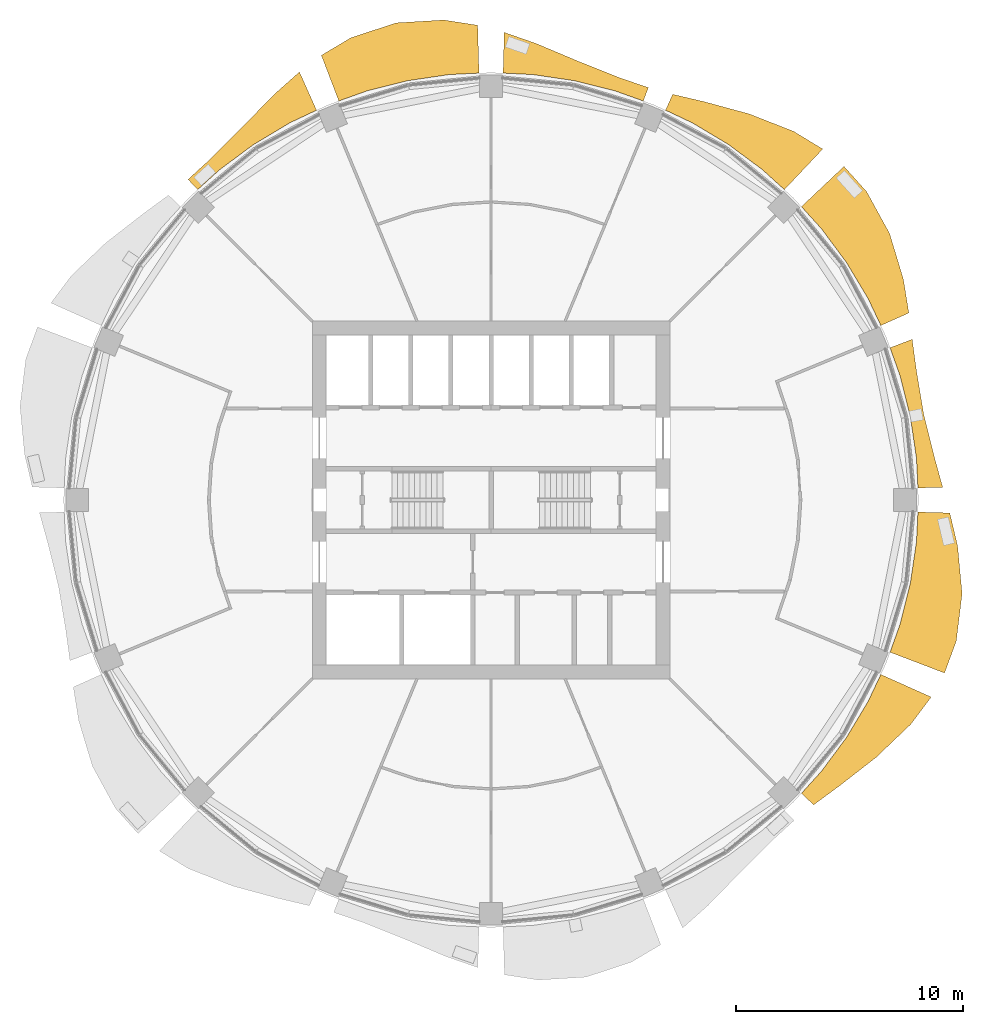
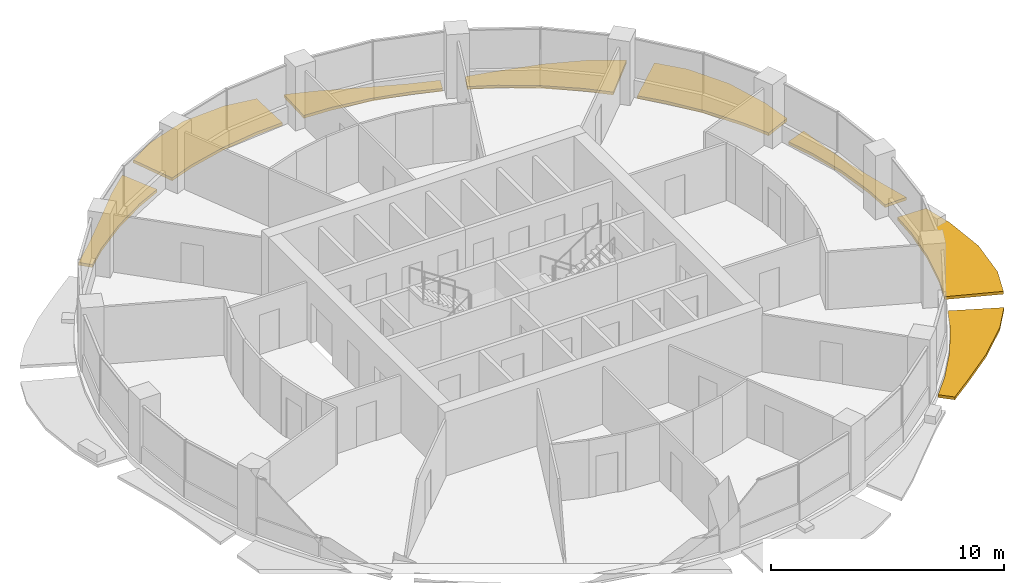
# One storey, part 14 of 15: 8 shading devices.
"""IFC4 building model written with IfcOpenShell, lengths in metres."""

from ifc_helpers import new_model, si_unit, direction, frame, origin, place, context, subcontext, project, spatial, polyline, outline, extrude, material, type_object, element, save


model = new_model("IFC4")

# Units and contexts
model_context = context("Model", 3, precision=1e-05, world=origin(), true_north=direction((0.0, 1.0)))
body_context = subcontext(model_context, "Body", "Model", "MODEL_VIEW")
ifc_project = project(units=[si_unit("LENGTHUNIT", "METRE"), si_unit("AREAUNIT", "SQUARE_METRE"), si_unit("VOLUMEUNIT", "CUBIC_METRE"), si_unit("PLANEANGLEUNIT", "RADIAN"), si_unit("MASSUNIT", "GRAM", prefix="KILO")], contexts=[model_context])

# Site, building, storey
site_placement = place(None, origin())
site = spatial("IfcSite", under=ifc_project, at=site_placement, CompositionType="ELEMENT")
building_placement = place(site_placement, origin())
building = spatial("IfcBuilding", under=site, at=building_placement, Name="Polderwave Tower", CompositionType="ELEMENT")
storey_placement = place(building_placement, frame((0.0, 0.0, 157.800048828125)))
storey = spatial("IfcBuildingStorey", under=building, at=storey_placement, Name="L42", CompositionType="ELEMENT", Elevation=157.800048828125)

# Shading devices
ifc_material = material(Name="Terracotta", Category="masonry")
shading_device_type = type_object("IfcShadingDeviceType", Name="Terracotta sunshade band", PredefinedType="USERDEFINED", material=ifc_material)
shading_device_1_placement = place(storey_placement, frame((0.0, 0.0, -0.35009765625)))
element("IfcShadingDevice", 1, at=shading_device_1_placement, inside=storey, type_object=shading_device_type, Name="Sunshade band L42 1", ObjectType="SUNSHADE", PredefinedType="USERDEFINED", context=body_context, shape_type="SweptSolid", body=[
    extrude(outline(polyline([(18.803955078125, 0.5302734375), (18.7392578125, 1.845703125), (18.46826171875, 3.673583984375), (18.019287109375, 5.466064453125), (17.575439453125, 6.7060546875), (18.551513671875, 7.078369140625), (18.740478515625, 5.684814453125), (19.056884765625, 3.790771484375), (19.519287109375, 1.922607421875), (19.893798828125, 0.56103515625), (18.803955078125, 0.5302734375)])), origin(), (0.0, 0.0, 1.0), 0.150146484375),
])
shading_device_2_placement = place(storey_placement, frame((0.0, 0.0, -0.35009765625)))
element("IfcShadingDevice", 2, at=shading_device_2_placement, inside=storey, type_object=shading_device_type, Name="Sunshade band L42 2", ObjectType="SUNSHADE", PredefinedType="USERDEFINED", context=body_context, shape_type="SweptSolid", body=[
    extrude(outline(polyline([(17.169677734375, 7.685791015625), (16.606689453125, 8.87646484375), (15.656494140625, 10.46142578125), (14.555908203125, 11.945556640625), (13.67138671875, 12.92138671875), (15.546875, 14.694091796875), (16.54638671875, 13.579345703125), (17.558837890625, 11.732421875), (18.166259765625, 9.710205078125), (18.40380859375, 8.23828125), (17.169677734375, 7.685791015625)])), origin(), (0.0, 0.0, 1.0), 0.150146484375),
])
shading_device_3_placement = place(storey_placement, frame((0.0, 0.0, -0.35009765625)))
element("IfcShadingDevice", 3, at=shading_device_3_placement, inside=storey, type_object=shading_device_type, Name="Sunshade band L42 3", ObjectType="SUNSHADE", PredefinedType="USERDEFINED", context=body_context, shape_type="SweptSolid", body=[
    extrude(outline(polyline([(12.92138671875, 13.67138671875), (11.945556640625, 14.555908203125), (10.46142578125, 15.656494140625), (8.87646484375, 16.606689453125), (7.685791015625, 17.169677734375), (7.999755859375, 17.87109375), (9.37939453125, 17.547607421875), (11.365234375, 17.00927734375), (13.3271484375, 16.2392578125), (14.611328125, 15.45947265625), (12.92138671875, 13.67138671875)])), origin(), (0.0, 0.0, 1.0), 0.150146484375),
])
shading_device_4_placement = place(storey_placement, frame((0.0, 0.0, -0.35009765625)))
element("IfcShadingDevice", 4, at=shading_device_4_placement, inside=storey, type_object=shading_device_type, Name="Sunshade band L42 4", ObjectType="SUNSHADE", PredefinedType="USERDEFINED", context=body_context, shape_type="SweptSolid", body=[
    extrude(outline(polyline([(6.7060546875, 17.575439453125), (5.466064453125, 18.019287109375), (3.673583984375, 18.46826171875), (1.845703125, 18.7392578125), (0.5302734375, 18.803955078125), (0.580810546875, 20.598388671875), (1.980712890625, 20.111083984375), (3.843994140625, 19.325439453125), (5.644287109375, 18.60693359375), (6.93115234375, 18.165283203125), (6.7060546875, 17.575439453125)])), origin(), (0.0, 0.0, 1.0), 0.150146484375),
])
shading_device_5_placement = place(storey_placement, frame((0.0, 0.0, -0.35009765625)))
element("IfcShadingDevice", 5, at=shading_device_5_placement, inside=storey, type_object=shading_device_type, Name="Sunshade band L42 5", ObjectType="SUNSHADE", PredefinedType="USERDEFINED", context=body_context, shape_type="SweptSolid", body=[
    extrude(outline(polyline([(-0.5302734375, 18.803955078125), (-1.845703125, 18.7392578125), (-3.673583984375, 18.46826171875), (-5.466064453125, 18.019287109375), (-6.7060546875, 17.575439453125), (-7.474365234375, 19.58935546875), (-6.176025390625, 20.360107421875), (-4.1806640625, 21.017822265625), (-2.08251953125, 21.143798828125), (-0.58984375, 20.912841796875), (-0.5302734375, 18.803955078125)])), origin(), (0.0, 0.0, 1.0), 0.150146484375),
])
shading_device_6_placement = place(storey_placement, frame((0.0, 0.0, -0.35009765625)))
element("IfcShadingDevice", 6, at=shading_device_6_placement, inside=storey, type_object=shading_device_type, Name="Sunshade band L42 6", ObjectType="SUNSHADE", PredefinedType="USERDEFINED", context=body_context, shape_type="SweptSolid", body=[
    extrude(outline(polyline([(-7.685791015625, 17.169677734375), (-8.87646484375, 16.606689453125), (-10.46142578125, 15.656494140625), (-11.945556640625, 14.555908203125), (-12.92138671875, 13.67138671875), (-13.3466796875, 14.121337890625), (-12.342041015625, 15.038818359375), (-10.96826171875, 16.4150390625), (-9.55126953125, 17.868896484375), (-8.44091796875, 18.856201171875), (-7.685791015625, 17.169677734375)])), origin(), (0.0, 0.0, 1.0), 0.150146484375),
])
shading_device_7_placement = place(storey_placement, frame((0.0, 0.0, -0.35009765625)))
element("IfcShadingDevice", 7, at=shading_device_7_placement, inside=storey, type_object=shading_device_type, Name="Sunshade band L42 15", ObjectType="SUNSHADE", PredefinedType="USERDEFINED", context=body_context, shape_type="SweptSolid", body=[
    extrude(outline(polyline([(13.67138671875, -12.92138671875), (14.555908203125, -11.945556640625), (15.656494140625, -10.46142578125), (16.606689453125, -8.87646484375), (17.169677734375, -7.685791015625), (19.388916015625, -8.679443359375), (18.48779296875, -9.8818359375), (16.964599609375, -11.335205078125), (15.345947265625, -12.593994140625), (14.208984375, -13.429443359375), (13.67138671875, -12.92138671875)])), origin(), (0.0, 0.0, 1.0), 0.150146484375),
])
shading_device_8_placement = place(storey_placement, frame((0.0, 0.0, -0.35009765625)))
element("IfcShadingDevice", 8, at=shading_device_8_placement, inside=storey, type_object=shading_device_type, Name="Sunshade band L42 16", ObjectType="SUNSHADE", PredefinedType="USERDEFINED", context=body_context, shape_type="SweptSolid", body=[
    extrude(outline(polyline([(17.575439453125, -6.7060546875), (18.019287109375, -5.466064453125), (18.46826171875, -3.673583984375), (18.7392578125, -1.845703125), (18.803955078125, -0.5302734375), (20.2080078125, -0.56982421875), (20.552001953125, -2.024169921875), (20.74951171875, -4.127197265625), (20.493408203125, -6.216552734375), (19.9755859375, -7.621826171875), (17.575439453125, -6.7060546875)])), origin(), (0.0, 0.0, 1.0), 0.150146484375),
])

save(model, "model.ifc")
